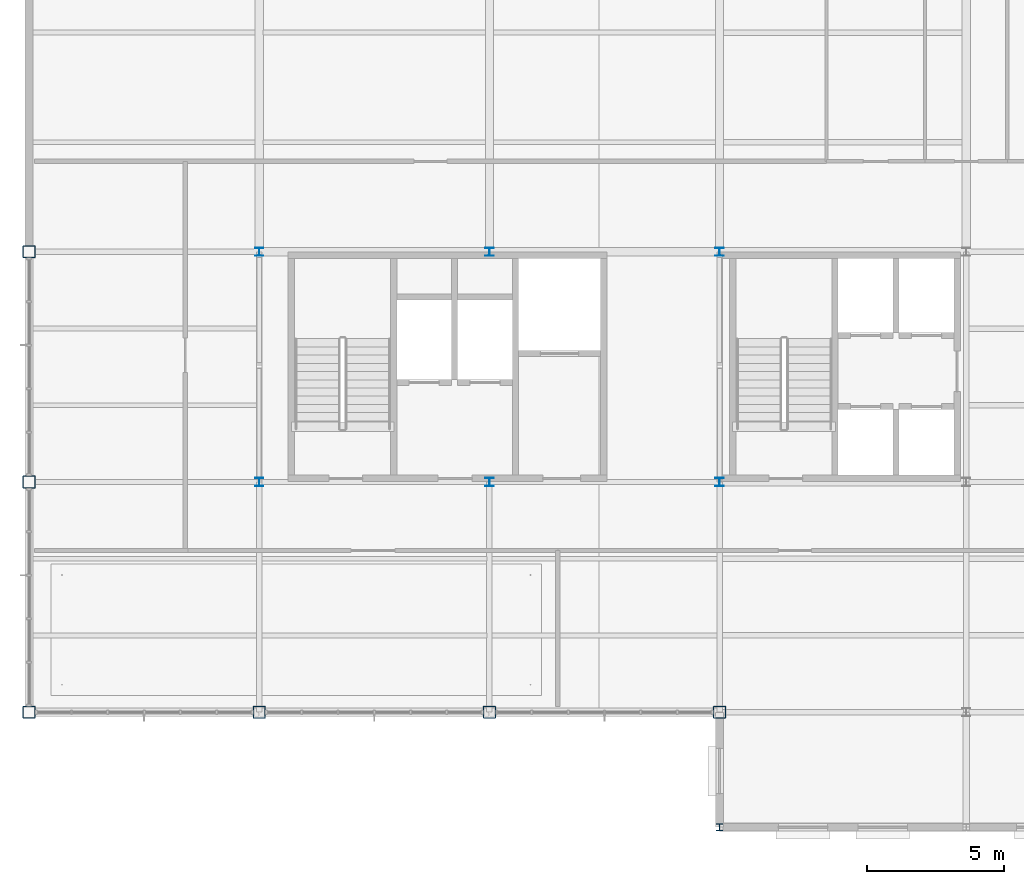
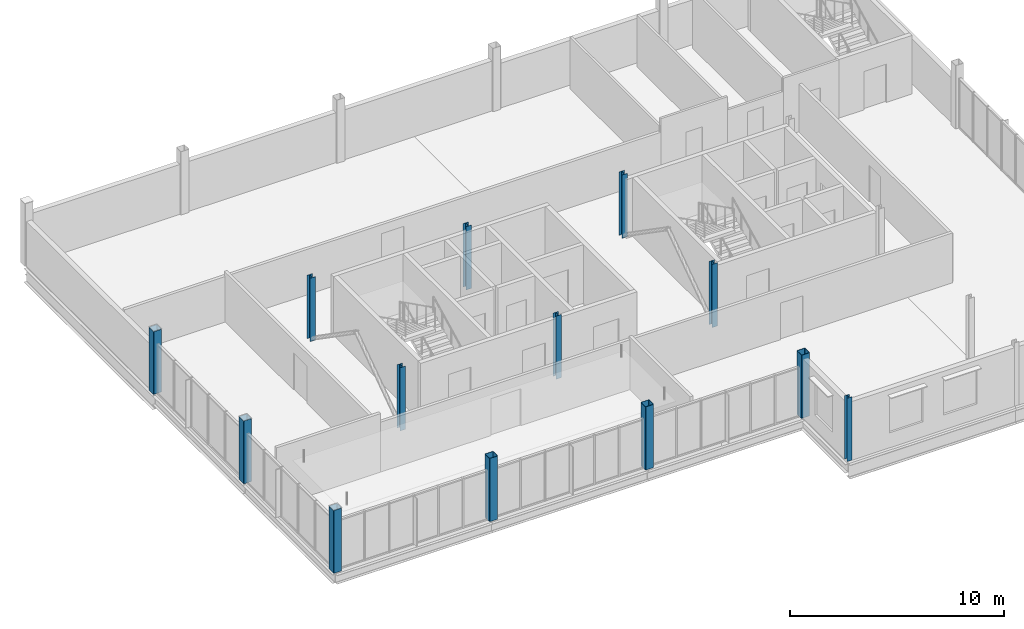
# One storey, part 1 of 19: 13 columns.
"""IFC4 building model written with IfcOpenShell, lengths in metres."""

import ifcopenshell
import ifcopenshell.guid

model = None  # the IFC model being written
_history = None  # IfcOwnerHistory: only IFC2X3 demands one
_inside = {}  # id of a spatial element -> (the spatial element, [elements in it])
_under = {}  # id of a project, library or spatial element -> (it, [spatial elements below it])
_declared = {}  # id of a project -> (the project, [libraries it declares])
_typed = {}  # id of a type object -> (the type object, [elements of that type])
_made_of = {}  # id of a material, layer set ... -> (it, [elements and type objects made of it])


def new_model(schema):
    """Start an empty IFC model of exactly this schema.

    Asked for "IFC4X3", IfcOpenShell would pick the latest addendum, in which some entities
    have other attributes; the version numbers below select the first issue.
    IFC2X3 requires an IfcOwnerHistory on every rooted entity: one is made here for all.
    """
    global model, _history
    if schema == "IFC4X3":
        model = ifcopenshell.file(schema_version=(4, 3, 0, 0))
    else:
        model = ifcopenshell.file(schema=schema)
    _inside.clear()
    _under.clear()
    _declared.clear()
    _typed.clear()
    _made_of.clear()
    _history = None
    if model.schema == "IFC2X3":
        org = make("IfcOrganization", Name="unknown")
        user = make(
            "IfcPersonAndOrganization",
            ThePerson=make("IfcPerson", FamilyName="unknown"),
            TheOrganization=org,
        )
        app = make(
            "IfcApplication",
            ApplicationDeveloper=org,
            Version="unknown",
            ApplicationFullName="unknown",
            ApplicationIdentifier="unknown",
        )
        _history = make(
            "IfcOwnerHistory",
            OwningUser=user,
            OwningApplication=app,
            ChangeAction="ADDED",
            CreationDate=0,
        )
    return model


def make(cls, **values):
    """One entity of the class cls with the attributes given. An attribute that is None is left unset."""
    return model.create_entity(
        cls, **{name: value for name, value in values.items() if value is not None}
    )


def rooted(cls, **values):
    """An entity with a GlobalId (a new one), such as an element, a storey or a relation."""
    return make(cls, GlobalId=ifcopenshell.guid.new(), OwnerHistory=_history, **values)


def si_unit(unit_type, name, prefix=None):
    """IfcSIUnit, for example si_unit("LENGTHUNIT", "METRE", prefix="MILLI")."""
    return make("IfcSIUnit", UnitType=unit_type, Prefix=prefix, Name=name)


def assignment(units):
    """IfcUnitAssignment: the units of a project."""
    return None if units is None else make("IfcUnitAssignment", Units=units)


def point(xyz):
    """IfcCartesianPoint."""
    return None if xyz is None else make("IfcCartesianPoint", Coordinates=xyz)


def direction(xyz):
    """IfcDirection."""
    return None if xyz is None else make("IfcDirection", DirectionRatios=xyz)


def frame(location, z_axis=None, x_axis=None):
    """IfcAxis2Placement3D, a coordinate frame: its origin and axes. An axis left out is left unset."""
    return make(
        "IfcAxis2Placement3D",
        Location=point(location),
        Axis=direction(z_axis),
        RefDirection=direction(x_axis),
    )


def frame_2d(location, x_axis=None):
    """IfcAxis2Placement2D, a coordinate frame in the plane: its origin and x axis."""
    return make(
        "IfcAxis2Placement2D", Location=point(location), RefDirection=direction(x_axis)
    )


def origin():
    """The frame at (0, 0, 0) with its axes left unset."""
    return frame((0.0, 0.0, 0.0))


def origin_2d():
    """The frame at (0, 0) in the plane with its x axis left unset."""
    return frame_2d((0.0, 0.0))


def place(relative_to, where):
    """IfcLocalPlacement: puts the frame where relative to a parent placement (None: the world)."""
    return make(
        "IfcLocalPlacement", PlacementRelTo=relative_to, RelativePlacement=where
    )


def context(
    kind, dimensions, precision=None, world=None, true_north=None, identifier=None
):
    """IfcGeometricRepresentationContext, for example the 3D "Model" context."""
    return make(
        "IfcGeometricRepresentationContext",
        ContextIdentifier=identifier,
        ContextType=kind,
        CoordinateSpaceDimension=dimensions,
        Precision=precision,
        WorldCoordinateSystem=world,
        TrueNorth=true_north,
    )


def subcontext(parent, identifier, kind, view, scale=None):
    """IfcGeometricRepresentationSubContext, for example "Body" below "Model"."""
    return make(
        "IfcGeometricRepresentationSubContext",
        ContextIdentifier=identifier,
        ContextType=kind,
        ParentContext=parent,
        TargetScale=scale,
        TargetView=view,
    )


def project(units=None, contexts=None):
    """IfcProject with its units and contexts."""
    return rooted(
        "IfcProject",
        Name="project",
        RepresentationContexts=contexts,
        UnitsInContext=assignment(units),
    )


def spatial(cls, under=None, at=None, **own):
    """A site, building, storey or space (cls), placed at a placement, below another one or the project."""
    s = rooted(cls, ObjectPlacement=at, **own)
    if under is not None:
        _under.setdefault(under.id(), (under, []))[1].append(s)
    return s


def profile(cls, at=None, kind="AREA", **sizes):
    """A parametric profile (cls). Its sizes go by their IFC names, for example OverallWidth=200.0."""
    return make(cls, ProfileType=kind, Position=at, **sizes)


def hollow_rectangle(**sizes):
    """IfcRectangleHollowProfileDef."""
    return profile("IfcRectangleHollowProfileDef", **sizes)


def i_section(**sizes):
    """IfcIShapeProfileDef."""
    return profile("IfcIShapeProfileDef", **sizes)


def extrude(swept, where, along, depth):
    """IfcExtrudedAreaSolid: the profile swept, set in the frame where, extruded along a direction by depth."""
    return make(
        "IfcExtrudedAreaSolid",
        SweptArea=swept,
        Position=where,
        ExtrudedDirection=direction(along),
        Depth=depth,
    )


def shape(context_of_items, identifier, shape_type, items):
    """IfcShapeRepresentation: the items that make up one representation, for example the "Body"."""
    return make(
        "IfcShapeRepresentation",
        ContextOfItems=context_of_items,
        RepresentationIdentifier=identifier,
        RepresentationType=shape_type,
        Items=items,
    )


def material(Name=None, Category=None):
    """IfcMaterial."""
    return make("IfcMaterial", Name=Name, Category=Category)


def material_profile(
    of_material, cross_section, Name=None, Category=None, Priority=None
):
    """IfcMaterialProfile: a cross section and its material."""
    return make(
        "IfcMaterialProfile",
        Name=Name,
        Material=of_material,
        Profile=cross_section,
        Priority=Priority,
        Category=Category,
    )


def profile_set(profiles, Name=None, composite=None):
    """IfcMaterialProfileSet."""
    return make(
        "IfcMaterialProfileSet",
        Name=Name,
        MaterialProfiles=profiles,
        CompositeProfile=composite,
    )


def made_of(thing, what):
    """Note that an element or type object is made of a material, layer set ...; save() writes the relation."""
    if what is not None:
        _made_of.setdefault(what.id(), (what, []))[1].append(thing)
    return thing


def type_object(cls, material=None, **own):
    """A type object (cls), such as IfcWallType, which elements share."""
    return made_of(rooted(cls, **own), material)


def element(
    cls,
    number,
    at=None,
    inside=None,
    cuts=None,
    type_object=None,
    material=None,
    context=None,
    identifier="Body",
    shape_type=None,
    held_by="IfcProductDefinitionShape",
    body=None,
    shapes=None,
    **own,
):
    """One element of the class cls, such as IfcWall. Its Tag is "e" and its number.

    at: its placement. inside: the storey or other place that contains it. cuts: it is an
    opening in that element (IfcRelVoidsElement). A single representation is given by context,
    identifier, shape_type and body (its items); several are given by shapes. held_by: the class
    of the entity that holds the representations. save() writes the other relations.
    """
    e = rooted(cls, Tag="e%d" % number, ObjectPlacement=at, **own)
    if body is not None:
        shapes = [shape(context, identifier, shape_type, body)]
    if shapes is not None:
        e.Representation = make(held_by, Representations=shapes)
    if inside is not None:
        _inside.setdefault(inside.id(), (inside, []))[1].append(e)
    if cuts is not None:
        rooted(
            "IfcRelVoidsElement", RelatingBuildingElement=cuts, RelatedOpeningElement=e
        )
    if type_object is not None:
        _typed.setdefault(type_object.id(), (type_object, []))[1].append(e)
    return made_of(e, material)


def aggregate(whole, parts):
    """IfcRelAggregates: a whole, such as a stair, and the parts it consists of."""
    return rooted("IfcRelAggregates", RelatingObject=whole, RelatedObjects=parts)


def save(model, path):
    """Write the relations noted so far, then the file.

    IfcRelAggregates (storeys below a building ...), IfcRelContainedInSpatialStructure (elements
    in a storey), IfcRelDefinesByType, IfcRelAssociatesMaterial and IfcRelDeclares: one each for
    every whole, place, type object, material and project.
    """
    for whole, parts in _under.values():
        aggregate(whole, parts)
    for where, things in _inside.values():
        rooted(
            "IfcRelContainedInSpatialStructure",
            RelatedElements=things,
            RelatingStructure=where,
        )
    for kind, things in _typed.values():
        rooted("IfcRelDefinesByType", RelatedObjects=things, RelatingType=kind)
    for what, things in _made_of.values():
        rooted("IfcRelAssociatesMaterial", RelatedObjects=things, RelatingMaterial=what)
    for by, libraries in _declared.values():
        rooted("IfcRelDeclares", RelatingContext=by, RelatedDefinitions=libraries)
    model.write(path)


model = new_model("IFC4")

# Units and contexts
model_context = context("Model", 3, precision=1e-05, world=origin(), true_north=direction((0.0, 1.0)))
body_context = subcontext(model_context, "Body", "Model", "MODEL_VIEW")
ifc_project = project(units=[si_unit("LENGTHUNIT", "METRE"), si_unit("AREAUNIT", "SQUARE_METRE"), si_unit("VOLUMEUNIT", "CUBIC_METRE"), si_unit("PLANEANGLEUNIT", "RADIAN"), si_unit("MASSUNIT", "GRAM", prefix="KILO")], contexts=[model_context])

# Site, building, storey
site_placement = place(None, origin())
site = spatial("IfcSite", under=ifc_project, at=site_placement, CompositionType="ELEMENT")
building_placement = place(site_placement, origin())
building = spatial("IfcBuilding", under=site, at=building_placement, Name="Yukiwa Park Conservatory and Herbarium", CompositionType="ELEMENT")
storey_placement = place(building_placement, frame((0.0, 0.0, 46.800048828125)))
storey = spatial("IfcBuildingStorey", under=building, at=storey_placement, Name="L12", CompositionType="ELEMENT", Elevation=46.800048828125)

# Columns
ifc_material_1 = material(Name="Steel Q355D", Category="steel")
ifc_material_profile_1 = material_profile(ifc_material_1, i_section(OverallWidth=0.25, OverallDepth=0.25, WebThickness=0.009033203125, FlangeThickness=0.013916015625, FilletRadius=0.01611328125, at=origin_2d()), Name="HW 250x250x9x14")
ifc_profile_set_1 = profile_set([ifc_material_profile_1], Name="Steel Q355D")
column_type_1 = type_object("IfcColumnType", Name="COL-SB-HW250", PredefinedType="COLUMN", material=ifc_profile_set_1)
column_placement = place(storey_placement, frame((150.0, 82.199951171875, 0.0), z_axis=(0.0, 0.0, 1.0), x_axis=(1.0, 0.0, 0.0)))
element("IfcColumn", 1, at=column_placement, inside=storey, type_object=column_type_1, Name="L12 column V5SB2-X1500-Y822", PredefinedType="COLUMN", context=body_context, shape_type="SweptSolid", body=[
    extrude(i_section(OverallWidth=0.25, OverallDepth=0.25, WebThickness=0.009033203125, FlangeThickness=0.013916015625, FilletRadius=0.01611328125, at=origin_2d()), origin(), (0.0, 0.0, 1.0), 3.599853515625),
])
ifc_material_2 = material(Name="Steel Q355D", Category="steel")
ifc_material_profile_2 = material_profile(ifc_material_2, hollow_rectangle(XDim=0.449951171875, YDim=0.449951171875, WallThickness=0.01806640625, InnerFilletRadius=0.01806640625, OuterFilletRadius=0.035888671875, at=origin_2d()), Name="BOX 450x450x18")
ifc_profile_set_2 = profile_set([ifc_material_profile_2], Name="Steel Q355D")
column_type_2 = type_object("IfcColumnType", Name="COL-TW-BOX450-EXT", PredefinedType="COLUMN", material=ifc_profile_set_2)
for number, where, z_axis, x_axis, name in (
    (2, (124.800048828125, 86.39990234375, 0.0), (0.0, 0.0, 1.0), (1.0, 0.0, 0.0), "L12 column V5-X1248-Y864"),
    (3, (124.800048828125, 94.800048828125, 0.0), (0.0, 0.0, 1.0), (1.0, 0.0, 0.0), "L12 column V5-X1248-Y948"),
    (4, (124.800048828125, 103.199951171875, 0.0), (0.0, 0.0, 1.0), (1.0, 0.0, 0.0), "L12 column V5-X1248-Y1032"),
):
    element("IfcColumn", number, at=place(storey_placement, frame(where, z_axis=z_axis, x_axis=x_axis)), inside=storey, type_object=column_type_2, Name=name, PredefinedType="COLUMN", context=body_context, shape_type="SweptSolid", body=[
        extrude(hollow_rectangle(XDim=0.449951171875, YDim=0.449951171875, WallThickness=0.01806640625, InnerFilletRadius=0.01806640625, OuterFilletRadius=0.035888671875, at=origin_2d()), origin(), (0.0, 0.0, 1.0), 3.575927734375),
    ])
for number, where, z_axis, x_axis, name in (
    (5, (133.199951171875, 86.39990234375, 0.0), (0.0, 0.0, 1.0), (1.0, 0.0, 0.0), "L12 column V5-X1332-Y864"),
    (6, (141.60009765625, 86.39990234375, 0.0), (0.0, 0.0, 1.0), (1.0, 0.0, 0.0), "L12 column V5-X1416-Y864"),
    (7, (150.0, 86.39990234375, 0.0), (0.0, 0.0, 1.0), (1.0, 0.0, 0.0), "L12 column V5-X1500-Y864"),
):
    element("IfcColumn", number, at=place(storey_placement, frame(where, z_axis=z_axis, x_axis=x_axis)), inside=storey, type_object=column_type_2, Name=name, PredefinedType="COLUMN", context=body_context, shape_type="SweptSolid", body=[
        extrude(hollow_rectangle(XDim=0.449951171875, YDim=0.449951171875, WallThickness=0.01806640625, InnerFilletRadius=0.01806640625, OuterFilletRadius=0.035888671875, at=origin_2d()), origin(), (0.0, 0.0, 1.0), 3.599853515625),
    ])
ifc_material_3 = material(Name="Steel Q355D", Category="steel")
ifc_material_profile_3 = material_profile(ifc_material_3, i_section(OverallWidth=0.302001953125, OverallDepth=0.2939453125, WebThickness=0.011962890625, FlangeThickness=0.011962890625, FilletRadius=0.01806640625, at=origin_2d()), Name="HW 294x302x12x12")
ifc_profile_set_3 = profile_set([ifc_material_profile_3], Name="Steel Q355D")
column_type_3 = type_object("IfcColumnType", Name="COL-TW-HW294", PredefinedType="COLUMN", material=ifc_profile_set_3)
for number, where, z_axis, x_axis, name in (
    (8, (133.199951171875, 94.800048828125, 0.0), (0.0, 0.0, 1.0), (1.0, 0.0, 0.0), "L12 column V5-X1332-Y948"),
    (9, (133.199951171875, 103.199951171875, 0.0), (0.0, 0.0, 1.0), (1.0, 0.0, 0.0), "L12 column V5-X1332-Y1032"),
    (10, (141.60009765625, 94.800048828125, 0.0), (0.0, 0.0, 1.0), (1.0, 0.0, 0.0), "L12 column V5-X1416-Y948"),
    (11, (141.60009765625, 103.199951171875, 0.0), (0.0, 0.0, 1.0), (1.0, 0.0, 0.0), "L12 column V5-X1416-Y1032"),
    (12, (150.0, 94.800048828125, 0.0), (0.0, 0.0, 1.0), (1.0, 0.0, 0.0), "L12 column V5-X1500-Y948"),
    (13, (150.0, 103.199951171875, 0.0), (0.0, 0.0, 1.0), (1.0, 0.0, 0.0), "L12 column V5-X1500-Y1032"),
):
    element("IfcColumn", number, at=place(storey_placement, frame(where, z_axis=z_axis, x_axis=x_axis)), inside=storey, type_object=column_type_3, Name=name, PredefinedType="COLUMN", context=body_context, shape_type="SweptSolid", body=[
        extrude(i_section(OverallWidth=0.302001953125, OverallDepth=0.2939453125, WebThickness=0.011962890625, FlangeThickness=0.011962890625, FilletRadius=0.01806640625, at=origin_2d()), origin(), (0.0, 0.0, 1.0), 3.599853515625),
    ])

save(model, "model.ifc")
